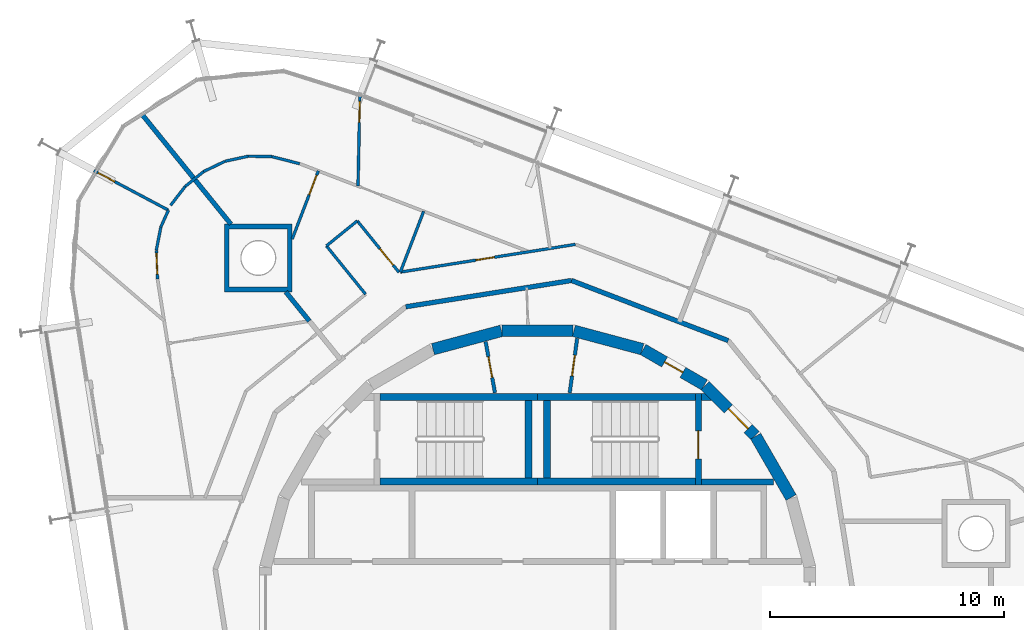
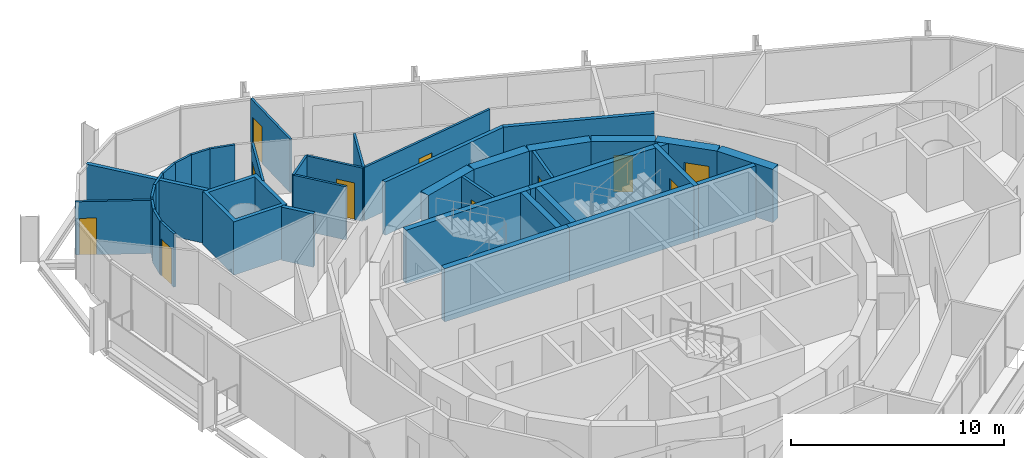
# One storey, part 15 of 17: 39 walls, 11 doors, 11 openings.
"""IFC4 building model written with IfcOpenShell, lengths in metres."""

import ifcopenshell
import ifcopenshell.guid

model = None  # the IFC model being written
_history = None  # IfcOwnerHistory: only IFC2X3 demands one
_inside = {}  # id of a spatial element -> (the spatial element, [elements in it])
_under = {}  # id of a project, library or spatial element -> (it, [spatial elements below it])
_declared = {}  # id of a project -> (the project, [libraries it declares])
_typed = {}  # id of a type object -> (the type object, [elements of that type])
_made_of = {}  # id of a material, layer set ... -> (it, [elements and type objects made of it])


def new_model(schema):
    """Start an empty IFC model of exactly this schema.

    Asked for "IFC4X3", IfcOpenShell would pick the latest addendum, in which some entities
    have other attributes; the version numbers below select the first issue.
    IFC2X3 requires an IfcOwnerHistory on every rooted entity: one is made here for all.
    """
    global model, _history
    if schema == "IFC4X3":
        model = ifcopenshell.file(schema_version=(4, 3, 0, 0))
    else:
        model = ifcopenshell.file(schema=schema)
    _inside.clear()
    _under.clear()
    _declared.clear()
    _typed.clear()
    _made_of.clear()
    _history = None
    if model.schema == "IFC2X3":
        org = make("IfcOrganization", Name="unknown")
        user = make(
            "IfcPersonAndOrganization",
            ThePerson=make("IfcPerson", FamilyName="unknown"),
            TheOrganization=org,
        )
        app = make(
            "IfcApplication",
            ApplicationDeveloper=org,
            Version="unknown",
            ApplicationFullName="unknown",
            ApplicationIdentifier="unknown",
        )
        _history = make(
            "IfcOwnerHistory",
            OwningUser=user,
            OwningApplication=app,
            ChangeAction="ADDED",
            CreationDate=0,
        )
    return model


def make(cls, **values):
    """One entity of the class cls with the attributes given. An attribute that is None is left unset."""
    return model.create_entity(
        cls, **{name: value for name, value in values.items() if value is not None}
    )


def rooted(cls, **values):
    """An entity with a GlobalId (a new one), such as an element, a storey or a relation."""
    return make(cls, GlobalId=ifcopenshell.guid.new(), OwnerHistory=_history, **values)


def si_unit(unit_type, name, prefix=None):
    """IfcSIUnit, for example si_unit("LENGTHUNIT", "METRE", prefix="MILLI")."""
    return make("IfcSIUnit", UnitType=unit_type, Prefix=prefix, Name=name)


def assignment(units):
    """IfcUnitAssignment: the units of a project."""
    return None if units is None else make("IfcUnitAssignment", Units=units)


def point(xyz):
    """IfcCartesianPoint."""
    return None if xyz is None else make("IfcCartesianPoint", Coordinates=xyz)


def direction(xyz):
    """IfcDirection."""
    return None if xyz is None else make("IfcDirection", DirectionRatios=xyz)


def frame(location, z_axis=None, x_axis=None):
    """IfcAxis2Placement3D, a coordinate frame: its origin and axes. An axis left out is left unset."""
    return make(
        "IfcAxis2Placement3D",
        Location=point(location),
        Axis=direction(z_axis),
        RefDirection=direction(x_axis),
    )


def frame_2d(location, x_axis=None):
    """IfcAxis2Placement2D, a coordinate frame in the plane: its origin and x axis."""
    return make(
        "IfcAxis2Placement2D", Location=point(location), RefDirection=direction(x_axis)
    )


def origin():
    """The frame at (0, 0, 0) with its axes left unset."""
    return frame((0.0, 0.0, 0.0))


def place(relative_to, where):
    """IfcLocalPlacement: puts the frame where relative to a parent placement (None: the world)."""
    return make(
        "IfcLocalPlacement", PlacementRelTo=relative_to, RelativePlacement=where
    )


def context(
    kind, dimensions, precision=None, world=None, true_north=None, identifier=None
):
    """IfcGeometricRepresentationContext, for example the 3D "Model" context."""
    return make(
        "IfcGeometricRepresentationContext",
        ContextIdentifier=identifier,
        ContextType=kind,
        CoordinateSpaceDimension=dimensions,
        Precision=precision,
        WorldCoordinateSystem=world,
        TrueNorth=true_north,
    )


def subcontext(parent, identifier, kind, view, scale=None):
    """IfcGeometricRepresentationSubContext, for example "Body" below "Model"."""
    return make(
        "IfcGeometricRepresentationSubContext",
        ContextIdentifier=identifier,
        ContextType=kind,
        ParentContext=parent,
        TargetScale=scale,
        TargetView=view,
    )


def project(units=None, contexts=None):
    """IfcProject with its units and contexts."""
    return rooted(
        "IfcProject",
        Name="project",
        RepresentationContexts=contexts,
        UnitsInContext=assignment(units),
    )


def spatial(cls, under=None, at=None, **own):
    """A site, building, storey or space (cls), placed at a placement, below another one or the project."""
    s = rooted(cls, ObjectPlacement=at, **own)
    if under is not None:
        _under.setdefault(under.id(), (under, []))[1].append(s)
    return s


def polyline(points):
    """IfcPolyline through the points."""
    return make("IfcPolyline", Points=[point(p) for p in points])


def profile(cls, at=None, kind="AREA", **sizes):
    """A parametric profile (cls). Its sizes go by their IFC names, for example OverallWidth=200.0."""
    return make(cls, ProfileType=kind, Position=at, **sizes)


def rectangle(**sizes):
    """IfcRectangleProfileDef."""
    return profile("IfcRectangleProfileDef", **sizes)


def outline(outer, holes=None, kind="AREA"):
    """IfcArbitraryClosedProfileDef: a profile drawn as a closed curve; with holes, ...WithVoids."""
    if holes is None:
        return make("IfcArbitraryClosedProfileDef", ProfileType=kind, OuterCurve=outer)
    return make(
        "IfcArbitraryProfileDefWithVoids",
        ProfileType=kind,
        OuterCurve=outer,
        InnerCurves=holes,
    )


def extrude(swept, where, along, depth):
    """IfcExtrudedAreaSolid: the profile swept, set in the frame where, extruded along a direction by depth."""
    return make(
        "IfcExtrudedAreaSolid",
        SweptArea=swept,
        Position=where,
        ExtrudedDirection=direction(along),
        Depth=depth,
    )


def shape(context_of_items, identifier, shape_type, items):
    """IfcShapeRepresentation: the items that make up one representation, for example the "Body"."""
    return make(
        "IfcShapeRepresentation",
        ContextOfItems=context_of_items,
        RepresentationIdentifier=identifier,
        RepresentationType=shape_type,
        Items=items,
    )


def material(Name=None, Category=None):
    """IfcMaterial."""
    return make("IfcMaterial", Name=Name, Category=Category)


def layer(
    of_material, thickness, ventilated=None, Name=None, Category=None, Priority=None
):
    """IfcMaterialLayer: one layer of a wall or slab, of a material (None: an air gap)."""
    return make(
        "IfcMaterialLayer",
        Material=of_material,
        LayerThickness=thickness,
        IsVentilated=ventilated,
        Name=Name,
        Category=Category,
        Priority=Priority,
    )


def layer_set(layers, Name=None):
    """IfcMaterialLayerSet."""
    return make("IfcMaterialLayerSet", MaterialLayers=layers, LayerSetName=Name)


def made_of(thing, what):
    """Note that an element or type object is made of a material, layer set ...; save() writes the relation."""
    if what is not None:
        _made_of.setdefault(what.id(), (what, []))[1].append(thing)
    return thing


def type_object(cls, material=None, **own):
    """A type object (cls), such as IfcWallType, which elements share."""
    return made_of(rooted(cls, **own), material)


def element(
    cls,
    number,
    at=None,
    inside=None,
    cuts=None,
    type_object=None,
    material=None,
    context=None,
    identifier="Body",
    shape_type=None,
    held_by="IfcProductDefinitionShape",
    body=None,
    shapes=None,
    **own,
):
    """One element of the class cls, such as IfcWall. Its Tag is "e" and its number.

    at: its placement. inside: the storey or other place that contains it. cuts: it is an
    opening in that element (IfcRelVoidsElement). A single representation is given by context,
    identifier, shape_type and body (its items); several are given by shapes. held_by: the class
    of the entity that holds the representations. save() writes the other relations.
    """
    e = rooted(cls, Tag="e%d" % number, ObjectPlacement=at, **own)
    if body is not None:
        shapes = [shape(context, identifier, shape_type, body)]
    if shapes is not None:
        e.Representation = make(held_by, Representations=shapes)
    if inside is not None:
        _inside.setdefault(inside.id(), (inside, []))[1].append(e)
    if cuts is not None:
        rooted(
            "IfcRelVoidsElement", RelatingBuildingElement=cuts, RelatedOpeningElement=e
        )
    if type_object is not None:
        _typed.setdefault(type_object.id(), (type_object, []))[1].append(e)
    return made_of(e, material)


def fill(opening, filler):
    """IfcRelFillsElement: the door or window that sits in an opening."""
    return rooted(
        "IfcRelFillsElement",
        RelatingOpeningElement=opening,
        RelatedBuildingElement=filler,
    )


def aggregate(whole, parts):
    """IfcRelAggregates: a whole, such as a stair, and the parts it consists of."""
    return rooted("IfcRelAggregates", RelatingObject=whole, RelatedObjects=parts)


def save(model, path):
    """Write the relations noted so far, then the file.

    IfcRelAggregates (storeys below a building ...), IfcRelContainedInSpatialStructure (elements
    in a storey), IfcRelDefinesByType, IfcRelAssociatesMaterial and IfcRelDeclares: one each for
    every whole, place, type object, material and project.
    """
    for whole, parts in _under.values():
        aggregate(whole, parts)
    for where, things in _inside.values():
        rooted(
            "IfcRelContainedInSpatialStructure",
            RelatedElements=things,
            RelatingStructure=where,
        )
    for kind, things in _typed.values():
        rooted("IfcRelDefinesByType", RelatedObjects=things, RelatingType=kind)
    for what, things in _made_of.values():
        rooted("IfcRelAssociatesMaterial", RelatedObjects=things, RelatingMaterial=what)
    for by, libraries in _declared.values():
        rooted("IfcRelDeclares", RelatingContext=by, RelatedDefinitions=libraries)
    model.write(path)


model = new_model("IFC4")

# Units and contexts
model_context = context("Model", 3, precision=1e-05, world=origin(), true_north=direction((0.0, 1.0)))
body_context = subcontext(model_context, "Body", "Model", "MODEL_VIEW")
ifc_project = project(units=[si_unit("LENGTHUNIT", "METRE"), si_unit("AREAUNIT", "SQUARE_METRE"), si_unit("VOLUMEUNIT", "CUBIC_METRE"), si_unit("PLANEANGLEUNIT", "RADIAN"), si_unit("MASSUNIT", "GRAM", prefix="KILO")], contexts=[model_context])

# Site, building, storey
site_placement = place(None, origin())
site = spatial("IfcSite", under=ifc_project, at=site_placement, CompositionType="ELEMENT")
building_placement = place(site_placement, origin())
building = spatial("IfcBuilding", under=site, at=building_placement, Name="Spindle Arch Residences", CompositionType="ELEMENT")
storey_placement = place(building_placement, frame((0.0, 0.0, 287.89990234375)))
storey = spatial("IfcBuildingStorey", under=building, at=storey_placement, Name="L74", CompositionType="ELEMENT", Elevation=287.89990234375)

# Wall
ifc_material_1 = material(Name="Concrete C50/60", Category="concrete")
ifc_layer_1 = layer(ifc_material_1, 0.5)
ifc_layer_set_1 = layer_set([ifc_layer_1], Name="Core outline wall 500")
wall_type_1 = type_object("IfcWallType", Name="Core outline wall 500", PredefinedType="SHEAR", material=ifc_layer_set_1)
wall_1_placement = place(storey_placement, frame((10.84521484375, 4.510498046875, 0.0), z_axis=(0.0, 0.0, 1.0), x_axis=(-0.500087131594, 0.865975092491, 0.0)))
element("IfcWall", 1, at=wall_1_placement, inside=storey, type_object=wall_type_1, Name="Core outline wall 8", PredefinedType="SHEAR", context=body_context, shape_type="SweptSolid", body=[
    extrude(rectangle(XDim=3.03271484375, YDim=0.5, at=frame_2d((1.516357421875, 0.0))), origin(), (0.0, 0.0, 1.0), 3.050048828125),
])

# Wall, opening, door
wall_2_placement = place(storey_placement, frame((9.30810546875, 7.163818359375, 0.0), z_axis=(0.0, 0.0, 1.0), x_axis=(-0.707106781187, 0.707106781187, 0.0)))
wall_2 = element("IfcWall", 2, at=wall_2_placement, inside=storey, type_object=wall_type_1, Name="Core outline wall 9", PredefinedType="SHEAR", context=body_context, shape_type="SweptSolid", body=[
    extrude(rectangle(XDim=3.032470703125, YDim=0.5, at=frame_2d((1.51611328125, 0.0))), origin(), (0.0, 0.0, 1.0), 3.050048828125),
])
opening_1_placement = place(wall_2_placement, frame((0.416259765625, 0.0, 0.0)))
opening_1 = element("IfcOpeningElement", 3, at=opening_1_placement, cuts=wall_2, Name="Opening R7C1-AD01", PredefinedType="OPENING", context=body_context, shape_type="SweptSolid", body=[
    extrude(rectangle(XDim=1.199951171875, YDim=2.10009765625, at=frame_2d((0.60009765625, 1.050048828125))), frame((0.0, 0.260009765625, 0.0), z_axis=(0.0, -1.0, 0.0), x_axis=(1.0, 0.0, 0.0)), (0.0, 0.0, 1.0), 0.52001953125),
])
ifc_material_2 = material(Name="Steel, fire-resisting door", Category="steel")
door_type_1 = type_object("IfcDoorType", Name="Stair airlock door 1200x2100", OperationType="SINGLE_SWING_LEFT", PredefinedType="DOOR", material=ifc_material_2)
door_1_placement = place(opening_1_placement, origin())
door_1 = element("IfcDoor", 4, at=door_1_placement, inside=storey, type_object=door_type_1, Name="Stair airlock door R7C1-AD01", OperationType="SINGLE_SWING_RIGHT", OverallHeight=2.10009765625, OverallWidth=1.199951171875, PredefinedType="DOOR", context=body_context, shape_type="SweptSolid", body=[
    extrude(rectangle(XDim=1.199951171875, YDim=2.10009765625, at=frame_2d((0.60009765625, 1.050048828125))), frame((0.0, 0.02490234375, 0.0), z_axis=(0.0, -1.0, 0.0), x_axis=(1.0, 0.0, 0.0)), (0.0, 0.0, 1.0), 0.050048828125),
])
fill(opening_1, door_1)

wall_3_placement = place(storey_placement, frame((7.13671875, 9.32861328125, 0.0), z_axis=(0.0, 0.0, 1.0), x_axis=(-0.865975092491, 0.500087131594, 0.0)))
wall_3 = element("IfcWall", 5, at=wall_3_placement, inside=storey, type_object=wall_type_1, Name="Core outline wall 10", PredefinedType="SHEAR", context=body_context, shape_type="SweptSolid", body=[
    extrude(rectangle(XDim=3.03271484375, YDim=0.5, at=frame_2d((1.516357421875, 0.0))), origin(), (0.0, 0.0, 1.0), 3.050048828125),
])
opening_2_placement = place(wall_3_placement, frame((1.06640625, 0.0, 0.0)))
opening_2 = element("IfcOpeningElement", 6, at=opening_2_placement, cuts=wall_3, Name="Opening R7C1-WD11", PredefinedType="OPENING", context=body_context, shape_type="SweptSolid", body=[
    extrude(rectangle(XDim=0.89990234375, YDim=2.10009765625, at=frame_2d((0.449951171875, 1.050048828125))), frame((0.0, 0.260009765625, 0.0), z_axis=(0.0, -1.0, 0.0), x_axis=(1.0, 0.0, 0.0)), (0.0, 0.0, 1.0), 0.52001953125),
])
ifc_material_3 = material(Name="Steel, fire-resisting door", Category="steel")
door_type_2 = type_object("IfcDoorType", Name="Service room door 900x2100", OperationType="SINGLE_SWING_LEFT", PredefinedType="DOOR", material=ifc_material_3)
door_2_placement = place(opening_2_placement, origin())
door_2 = element("IfcDoor", 7, at=door_2_placement, inside=storey, type_object=door_type_2, Name="Service room door R7C1-WD11", OperationType="SINGLE_SWING_LEFT", OverallHeight=2.10009765625, OverallWidth=0.89990234375, PredefinedType="DOOR", context=body_context, shape_type="SweptSolid", body=[
    extrude(rectangle(XDim=0.89990234375, YDim=2.10009765625, at=frame_2d((0.449951171875, 1.050048828125))), frame((0.0, 0.02490234375, 0.0), z_axis=(0.0, -1.0, 0.0), x_axis=(1.0, 0.0, 0.0)), (0.0, 0.0, 1.0), 0.050048828125),
])
fill(opening_2, door_2)

# Walls
for number, where, z_axis, x_axis, name in (
    (8, (4.479248046875, 10.858154296875, 0.0), (0.0, 0.0, 1.0), (-0.965948410781, 0.258734743916, 0.0), "Core outline wall 11"),
    (9, (1.516357421875, 11.647216796875, 0.0), (0.0, 0.0, 1.0), (-1.0, 0.0, 0.0), "Core outline wall 12"),
    (10, (-1.5498046875, 11.642822265625, 0.0), (0.0, 0.0, 1.0), (-0.965948410781, -0.258734743916, 0.0), "Core outline wall 13"),
):
    element("IfcWall", number, at=place(storey_placement, frame(where, z_axis=z_axis, x_axis=x_axis)), inside=storey, type_object=wall_type_1, Name=name, PredefinedType="SHEAR", context=body_context, shape_type="SweptSolid", body=[
        extrude(rectangle(XDim=3.03271484375, YDim=0.5, at=frame_2d((1.516357421875, 0.0))), origin(), (0.0, 0.0, 1.0), 3.050048828125),
    ])
ifc_material_4 = material(Name="Calcium silicate block, plastered")
ifc_layer_2 = layer(ifc_material_4, 0.199951171875)
ifc_layer_set_2 = layer_set([ifc_layer_2], Name="Corridor wall 200")
wall_type_2 = type_object("IfcWallType", Name="Corridor wall 200", PredefinedType="STANDARD", material=ifc_layer_set_2)
wall_4_placement = place(storey_placement, frame((8.154296875, 11.223388671875, 0.0), z_axis=(0.0, 0.0, 1.0), x_axis=(-0.93359073609, 0.358341090983, 0.0)))
element("IfcWall", 11, at=wall_4_placement, inside=storey, type_object=wall_type_2, Name="Corridor wall R7C1-W007", PredefinedType="STANDARD", context=body_context, shape_type="SweptSolid", body=[
    extrude(rectangle(XDim=7.180908203125, YDim=0.199951171875, at=frame_2d((3.59033203125, 0.0))), origin(), (0.0, 0.0, 1.0), 3.050048828125),
])
wall_5_placement = place(storey_placement, frame((1.4501953125, 13.796630859375, 0.0), z_axis=(0.0, 0.0, 1.0), x_axis=(-0.987690361611, -0.156421704315, 0.0)))
element("IfcWall", 12, at=wall_5_placement, inside=storey, type_object=wall_type_2, Name="Corridor wall R7C1-W008", PredefinedType="STANDARD", context=body_context, shape_type="SweptSolid", body=[
    extrude(rectangle(XDim=7.18115234375, YDim=0.199951171875, at=frame_2d((3.590576171875, 0.0))), origin(), (0.0, 0.0, 1.0), 3.050048828125),
])

# Wall, opening, door
ifc_material_5 = material(Name="Plasterboard on steel studs", Category="steel")
ifc_layer_3 = layer(ifc_material_5, 0.1201171875)
ifc_layer_set_3 = layer_set([ifc_layer_3], Name="Flat partition 120")
wall_type_3 = type_object("IfcWallType", Name="Flat partition 120", PredefinedType="PARTITIONING", material=ifc_layer_set_3)
wall_6_placement = place(storey_placement, frame((1.6123046875, 15.341064453125, 0.0), z_axis=(0.0, 0.0, 1.0), x_axis=(-0.987690790621, -0.156418995404, 0.0)))
wall_6 = element("IfcWall", 13, at=wall_6_placement, inside=storey, type_object=wall_type_3, Name="Flat partition R7C1-W043", PredefinedType="PARTITIONING", context=body_context, shape_type="SweptSolid", body=[
    extrude(rectangle(XDim=7.580810546875, YDim=0.1201171875, at=frame_2d((3.79052734375, 0.0))), origin(), (0.0, 0.0, 1.0), 3.050048828125),
])
opening_3_placement = place(wall_6_placement, frame((3.5068359375, 0.0, 0.0)))
opening_3 = element("IfcOpeningElement", 14, at=opening_3_placement, cuts=wall_6, Name="Opening R7C1-BD02", PredefinedType="OPENING", context=body_context, shape_type="SweptSolid", body=[
    extrude(rectangle(XDim=0.800048828125, YDim=2.10009765625, at=frame_2d((0.39990234375, 1.050048828125))), frame((0.0, 0.070068359375, 0.0), z_axis=(0.0, -1.0, 0.0), x_axis=(1.0, 0.0, 0.0)), (0.0, 0.0, 1.0), 0.14013671875),
])
ifc_material_6 = material(Name="Timber door set", Category="wood")
door_type_3 = type_object("IfcDoorType", Name="Bathroom door 800x2100", OperationType="NOTDEFINED", PredefinedType="DOOR", material=ifc_material_6)
door_3_placement = place(opening_3_placement, origin())
door_3 = element("IfcDoor", 15, at=door_3_placement, inside=storey, type_object=door_type_3, Name="Bathroom door R7C1-BD02", OperationType="SINGLE_SWING_RIGHT", OverallHeight=2.10009765625, OverallWidth=0.800048828125, PredefinedType="DOOR", context=body_context, shape_type="SweptSolid", body=[
    extrude(rectangle(XDim=0.800048828125, YDim=2.10009765625, at=frame_2d((0.39990234375, 1.050048828125))), frame((0.0, 0.02490234375, 0.0), z_axis=(0.0, -1.0, 0.0), x_axis=(1.0, 0.0, 0.0)), (0.0, 0.0, 1.0), 0.050048828125),
])
fill(opening_3, door_3)

wall_7_placement = place(storey_placement, frame((-5.933349609375, 14.14599609375, 0.0), z_axis=(0.0, 0.0, 1.0), x_axis=(-0.62930727886, 0.777156579316, 0.0)))
wall_7 = element("IfcWall", 16, at=wall_7_placement, inside=storey, type_object=wall_type_3, Name="Flat partition R7C1-W044", PredefinedType="PARTITIONING", context=body_context, shape_type="SweptSolid", body=[
    extrude(rectangle(XDim=2.83349609375, YDim=0.1201171875, at=frame_2d((1.416748046875, 0.0))), origin(), (0.0, 0.0, 1.0), 3.050048828125),
])
opening_4_placement = place(wall_7_placement, frame((0.39990234375, 0.0, 0.0)))
opening_4 = element("IfcOpeningElement", 17, at=opening_4_placement, cuts=wall_7, Name="Opening R7C1-ID05", PredefinedType="OPENING", context=body_context, shape_type="SweptSolid", body=[
    extrude(rectangle(XDim=0.89990234375, YDim=2.10009765625, at=frame_2d((0.449951171875, 1.050048828125))), frame((0.0, 0.070068359375, 0.0), z_axis=(0.0, -1.0, 0.0), x_axis=(1.0, 0.0, 0.0)), (0.0, 0.0, 1.0), 0.14013671875),
])
ifc_material_7 = material(Name="Timber door set", Category="wood")
door_type_4 = type_object("IfcDoorType", Name="Room door 900x2100", OperationType="NOTDEFINED", PredefinedType="DOOR", material=ifc_material_7)
door_4_placement = place(opening_4_placement, origin())
door_4 = element("IfcDoor", 18, at=door_4_placement, inside=storey, type_object=door_type_4, Name="Room door R7C1-ID05", OperationType="SINGLE_SWING_RIGHT", OverallHeight=2.10009765625, OverallWidth=0.89990234375, PredefinedType="DOOR", context=body_context, shape_type="SweptSolid", body=[
    extrude(rectangle(XDim=0.89990234375, YDim=2.10009765625, at=frame_2d((0.449951171875, 1.050048828125))), frame((0.0, 0.02490234375, 0.0), z_axis=(0.0, -1.0, 0.0), x_axis=(1.0, 0.0, 0.0)), (0.0, 0.0, 1.0), 0.050048828125),
])
fill(opening_4, door_4)

# Walls
wall_8_placement = place(storey_placement, frame((-7.716552734375, 16.34814453125, 0.0), z_axis=(0.0, 0.0, 1.0), x_axis=(-0.777184671515, -0.629272585103, 0.0)))
element("IfcWall", 19, at=wall_8_placement, inside=storey, type_object=wall_type_3, Name="Flat partition R7C1-W045", PredefinedType="PARTITIONING", context=body_context, shape_type="SweptSolid", body=[
    extrude(rectangle(XDim=1.7001953125, YDim=0.1201171875, at=frame_2d((0.85009765625, 0.0))), origin(), (0.0, 0.0, 1.0), 3.050048828125),
])
wall_9_placement = place(storey_placement, frame((-9.037841796875, 15.2783203125, 0.0), z_axis=(0.0, 0.0, 1.0), x_axis=(0.629338090938, -0.777131628037, 0.0)))
element("IfcWall", 20, at=wall_9_placement, inside=storey, type_object=wall_type_3, Name="Flat partition R7C1-W046", PredefinedType="PARTITIONING", context=body_context, shape_type="SweptSolid", body=[
    extrude(rectangle(XDim=2.6611328125, YDim=0.1201171875, at=frame_2d((1.33056640625, 0.0))), origin(), (0.0, 0.0, 1.0), 3.050048828125),
])

# Wall, opening, door
wall_10_placement = place(storey_placement, frame((-7.6064453125, 21.6611328125, 0.0), z_axis=(0.0, 0.0, 1.0), x_axis=(-0.020735808663, -0.999784990005, 0.0)))
wall_10 = element("IfcWall", 21, at=wall_10_placement, inside=storey, type_object=wall_type_3, Name="Flat partition R7C1-W050", PredefinedType="PARTITIONING", context=body_context, shape_type="SweptSolid", body=[
    extrude(rectangle(XDim=3.826416015625, YDim=0.1201171875, at=frame_2d((1.9130859375, 0.0))), origin(), (0.0, 0.0, 1.0), 3.050048828125),
])
opening_5_placement = place(wall_10_placement, frame((0.199951171875, 0.0, 0.0)))
opening_5 = element("IfcOpeningElement", 22, at=opening_5_placement, cuts=wall_10, Name="Opening R7C1-ID08", PredefinedType="OPENING", context=body_context, shape_type="SweptSolid", body=[
    extrude(rectangle(XDim=0.89990234375, YDim=2.10009765625, at=frame_2d((0.449951171875, 1.050048828125))), frame((0.0, 0.070068359375, 0.0), z_axis=(0.0, -1.0, 0.0), x_axis=(1.0, 0.0, 0.0)), (0.0, 0.0, 1.0), 0.14013671875),
])
door_5_placement = place(opening_5_placement, origin())
door_5 = element("IfcDoor", 23, at=door_5_placement, inside=storey, type_object=door_type_4, Name="Room door R7C1-ID08", OperationType="SINGLE_SWING_RIGHT", OverallHeight=2.10009765625, OverallWidth=0.89990234375, PredefinedType="DOOR", context=body_context, shape_type="SweptSolid", body=[
    extrude(rectangle(XDim=0.89990234375, YDim=2.10009765625, at=frame_2d((0.449951171875, 1.050048828125))), frame((0.0, 0.02490234375, 0.0), z_axis=(0.0, -1.0, 0.0), x_axis=(1.0, 0.0, 0.0)), (0.0, 0.0, 1.0), 0.050048828125),
])
fill(opening_5, door_5)

# Wall
wall_11_placement = place(storey_placement, frame((-4.87646484375, 16.757080078125, 0.0), z_axis=(0.0, 0.0, 1.0), x_axis=(-0.358380240487, -0.933575708354, 0.0)))
element("IfcWall", 24, at=wall_11_placement, inside=storey, type_object=wall_type_3, Name="Flat partition R7C1-W051", PredefinedType="PARTITIONING", context=body_context, shape_type="SweptSolid", body=[
    extrude(rectangle(XDim=2.786865234375, YDim=0.1201171875, at=frame_2d((1.3935546875, 0.0))), origin(), (0.0, 0.0, 1.0), 3.050048828125),
])

# Wall, opening, door
wall_12_placement = place(storey_placement, frame((-9.383056640625, 18.487060546875, 0.0), z_axis=(0.0, 0.0, 1.0), x_axis=(-0.358340198137, -0.933591078792, 0.0)))
wall_12 = element("IfcWall", 25, at=wall_12_placement, inside=storey, type_object=wall_type_3, Name="Flat partition R7C1-W052", PredefinedType="PARTITIONING", context=body_context, shape_type="SweptSolid", body=[
    extrude(rectangle(XDim=3.12451171875, YDim=0.1201171875, at=frame_2d((1.562255859375, 0.0))), origin(), (0.0, 0.0, 1.0), 3.050048828125),
])
opening_6_placement = place(wall_12_placement, frame((0.199951171875, 0.0, 0.0)))
opening_6 = element("IfcOpeningElement", 26, at=opening_6_placement, cuts=wall_12, Name="Opening R7C1-ID07", PredefinedType="OPENING", context=body_context, shape_type="SweptSolid", body=[
    extrude(rectangle(XDim=0.89990234375, YDim=2.10009765625, at=frame_2d((0.449951171875, 1.050048828125))), frame((0.0, 0.070068359375, 0.0), z_axis=(0.0, -1.0, 0.0), x_axis=(1.0, 0.0, 0.0)), (0.0, 0.0, 1.0), 0.14013671875),
])
door_6_placement = place(opening_6_placement, origin())
door_6 = element("IfcDoor", 27, at=door_6_placement, inside=storey, type_object=door_type_4, Name="Room door R7C1-ID07", OperationType="SINGLE_SWING_RIGHT", OverallHeight=2.10009765625, OverallWidth=0.89990234375, PredefinedType="DOOR", context=body_context, shape_type="SweptSolid", body=[
    extrude(rectangle(XDim=0.89990234375, YDim=2.10009765625, at=frame_2d((0.449951171875, 1.050048828125))), frame((0.0, 0.02490234375, 0.0), z_axis=(0.0, -1.0, 0.0), x_axis=(1.0, 0.0, 0.0)), (0.0, 0.0, 1.0), 0.050048828125),
])
fill(opening_6, door_6)

# Walls
for number, where, z_axis, x_axis, name in (
    (28, (-15.08251953125, 17.818115234375, 0.0), (0.0, 0.0, 1.0), (0.777127341008, 0.629343384694, 0.0), "Flat partition R7C1-W053"),
    (29, (-14.29296875, 18.45751953125, 0.0), (0.0, 0.0, 1.0), (0.901241595267, 0.433316959004, 0.0), "Flat partition R7C1-W054"),
):
    element("IfcWall", number, at=place(storey_placement, frame(where, z_axis=z_axis, x_axis=x_axis)), inside=storey, type_object=wall_type_3, Name=name, PredefinedType="PARTITIONING", context=body_context, shape_type="SweptSolid", body=[
        extrude(rectangle(XDim=1.015869140625, YDim=0.1201171875, at=frame_2d((0.5078125, 0.0))), origin(), (0.0, 0.0, 1.0), 3.050048828125),
    ])
wall_13_placement = place(storey_placement, frame((-13.37744140625, 18.897705078125, 0.0), z_axis=(0.0, 0.0, 1.0), x_axis=(0.976972067705, 0.213367239577, 0.0)))
element("IfcWall", 30, at=wall_13_placement, inside=storey, type_object=wall_type_3, Name="Flat partition R7C1-W055", PredefinedType="PARTITIONING", context=body_context, shape_type="SweptSolid", body=[
    extrude(rectangle(XDim=1.01611328125, YDim=0.1201171875, at=frame_2d((0.508056640625, 0.0))), origin(), (0.0, 0.0, 1.0), 3.050048828125),
])
wall_14_placement = place(storey_placement, frame((-12.384765625, 19.114501953125, 0.0), z_axis=(0.0, 0.0, 1.0), x_axis=(0.999850255535, -0.017305100577, 0.0)))
element("IfcWall", 31, at=wall_14_placement, inside=storey, type_object=wall_type_3, Name="Flat partition R7C1-W056", PredefinedType="PARTITIONING", context=body_context, shape_type="SweptSolid", body=[
    extrude(rectangle(XDim=1.015869140625, YDim=0.1201171875, at=frame_2d((0.5078125, 0.0))), origin(), (0.0, 0.0, 1.0), 3.050048828125),
])
wall_15_placement = place(storey_placement, frame((-11.369140625, 19.096923828125, 0.0), z_axis=(0.0, 0.0, 1.0), x_axis=(0.968877104853, -0.247542230117, 0.0)))
element("IfcWall", 32, at=wall_15_placement, inside=storey, type_object=wall_type_3, Name="Flat partition R7C1-W057", PredefinedType="PARTITIONING", context=body_context, shape_type="SweptSolid", body=[
    extrude(rectangle(XDim=1.226806640625, YDim=0.1201171875, at=frame_2d((0.61328125, 0.0))), origin(), (0.0, 0.0, 1.0), 3.050048828125),
])
wall_16_placement = place(storey_placement, frame((-15.703369140625, 17.013916015625, 0.0), z_axis=(0.0, 0.0, 1.0), x_axis=(0.611091802574, 0.791559731686, 0.0)))
element("IfcWall", 33, at=wall_16_placement, inside=storey, type_object=wall_type_3, Name="Flat partition R7C1-W059", PredefinedType="PARTITIONING", context=body_context, shape_type="SweptSolid", body=[
    extrude(rectangle(XDim=1.015869140625, YDim=0.1201171875, at=frame_2d((0.5078125, 0.0))), origin(), (0.0, 0.0, 1.0), 3.050048828125),
])

# Wall, opening, door
wall_17_placement = place(storey_placement, frame((-18.98291015625, 18.498779296875, 0.0), z_axis=(0.0, 0.0, 1.0), x_axis=(0.882938650306, -0.469488380896, 0.0)))
wall_17 = element("IfcWall", 34, at=wall_17_placement, inside=storey, type_object=wall_type_3, Name="Flat partition R7C1-W060", PredefinedType="PARTITIONING", context=body_context, shape_type="SweptSolid", body=[
    extrude(rectangle(XDim=3.607421875, YDim=0.1201171875, at=frame_2d((1.8037109375, 0.0))), origin(), (0.0, 0.0, 1.0), 3.050048828125),
])
opening_7_placement = place(wall_17_placement, frame((0.199951171875, 0.0, 0.0)))
opening_7 = element("IfcOpeningElement", 35, at=opening_7_placement, cuts=wall_17, Name="Opening R7C1-BD03", PredefinedType="OPENING", context=body_context, shape_type="SweptSolid", body=[
    extrude(rectangle(XDim=0.800048828125, YDim=2.10009765625, at=frame_2d((0.39990234375, 1.050048828125))), frame((0.0, 0.070068359375, 0.0), z_axis=(0.0, -1.0, 0.0), x_axis=(1.0, 0.0, 0.0)), (0.0, 0.0, 1.0), 0.14013671875),
])
door_7_placement = place(opening_7_placement, origin())
door_7 = element("IfcDoor", 36, at=door_7_placement, inside=storey, type_object=door_type_3, Name="Bathroom door R7C1-BD03", OperationType="SINGLE_SWING_LEFT", OverallHeight=2.10009765625, OverallWidth=0.800048828125, PredefinedType="DOOR", context=body_context, shape_type="SweptSolid", body=[
    extrude(rectangle(XDim=0.800048828125, YDim=2.10009765625, at=frame_2d((0.39990234375, 1.050048828125))), frame((0.0, 0.02490234375, 0.0), z_axis=(0.0, -1.0, 0.0), x_axis=(1.0, 0.0, 0.0)), (0.0, 0.0, 1.0), 0.050048828125),
])
fill(opening_7, door_7)

# Walls
wall_18_placement = place(storey_placement, frame((-15.7978515625, 16.80517578125, 0.0), z_axis=(0.0, 0.0, 1.0), x_axis=(-0.411861127809, -0.911246624904, 0.0)))
element("IfcWall", 37, at=wall_18_placement, inside=storey, type_object=wall_type_3, Name="Flat partition R7C1-W061", PredefinedType="PARTITIONING", context=body_context, shape_type="SweptSolid", body=[
    extrude(rectangle(XDim=0.78662109375, YDim=0.1201171875, at=frame_2d((0.393310546875, 0.0))), origin(), (0.0, 0.0, 1.0), 3.050048828125),
])
wall_19_placement = place(storey_placement, frame((-16.121826171875, 16.08837890625, 0.0), z_axis=(0.0, 0.0, 1.0), x_axis=(-0.191030445301, -0.981584112019, 0.0)))
element("IfcWall", 38, at=wall_19_placement, inside=storey, type_object=wall_type_3, Name="Flat partition R7C1-W062", PredefinedType="PARTITIONING", context=body_context, shape_type="SweptSolid", body=[
    extrude(rectangle(XDim=1.01611328125, YDim=0.1201171875, at=frame_2d((0.508056640625, 0.0))), origin(), (0.0, 0.0, 1.0), 3.050048828125),
])

# Wall, opening, door
wall_20_placement = place(storey_placement, frame((-16.31591796875, 15.091064453125, 0.0), z_axis=(0.0, 0.0, 1.0), x_axis=(0.040786423131, -0.999167887639, 0.0)))
wall_20 = element("IfcWall", 39, at=wall_20_placement, inside=storey, type_object=wall_type_3, Name="Flat partition R7C1-W063", PredefinedType="PARTITIONING", context=body_context, shape_type="SweptSolid", body=[
    extrude(rectangle(XDim=1.22705078125, YDim=0.1201171875, at=frame_2d((0.613525390625, 0.0))), origin(), (0.0, 0.0, 1.0), 3.050048828125),
])
opening_8_placement = place(wall_20_placement, frame((0.1201171875, 0.0, 0.0)))
opening_8 = element("IfcOpeningElement", 40, at=opening_8_placement, cuts=wall_20, Name="Opening R7C1-ID11", PredefinedType="OPENING", context=body_context, shape_type="SweptSolid", body=[
    extrude(rectangle(XDim=0.89990234375, YDim=2.10009765625, at=frame_2d((0.449951171875, 1.050048828125))), frame((0.0, 0.070068359375, 0.0), z_axis=(0.0, -1.0, 0.0), x_axis=(1.0, 0.0, 0.0)), (0.0, 0.0, 1.0), 0.14013671875),
])
door_8_placement = place(opening_8_placement, origin())
door_8 = element("IfcDoor", 41, at=door_8_placement, inside=storey, type_object=door_type_4, Name="Room door R7C1-ID11", OperationType="SINGLE_SWING_RIGHT", OverallHeight=2.10009765625, OverallWidth=0.89990234375, PredefinedType="DOOR", context=body_context, shape_type="SweptSolid", body=[
    extrude(rectangle(XDim=0.89990234375, YDim=2.10009765625, at=frame_2d((0.449951171875, 1.050048828125))), frame((0.0, 0.02490234375, 0.0), z_axis=(0.0, -1.0, 0.0), x_axis=(1.0, 0.0, 0.0)), (0.0, 0.0, 1.0), 0.050048828125),
])
fill(opening_8, door_8)

# Walls
ifc_material_8 = material(Name="Calcium silicate block, plastered")
ifc_layer_4 = layer(ifc_material_8, 0.199951171875)
ifc_layer_set_4 = layer_set([ifc_layer_4], Name="Flat party wall 200")
wall_type_4 = type_object("IfcWallType", Name="Flat party wall 200", PredefinedType="STANDARD", material=ifc_layer_set_4)
wall_21_placement = place(storey_placement, frame((-10.778564453125, 13.310546875, 0.0), z_axis=(0.0, 0.0, 1.0), x_axis=(0.629373100483, -0.77710327524, 0.0)))
element("IfcWall", 42, at=wall_21_placement, inside=storey, type_object=wall_type_4, Name="Flat party wall R7C1-W025", PredefinedType="STANDARD", context=body_context, shape_type="SweptSolid", body=[
    extrude(rectangle(XDim=1.6064453125, YDim=0.199951171875, at=frame_2d((0.80322265625, 0.0))), origin(), (0.0, 0.0, 1.0), 3.050048828125),
])
wall_22_placement = place(storey_placement, frame((-16.953369140625, 20.935546875, 0.0), z_axis=(0.0, 0.0, 1.0), x_axis=(0.629331057166, -0.777137324085, 0.0)))
element("IfcWall", 43, at=wall_22_placement, inside=storey, type_object=wall_type_4, Name="Flat party wall R7C1-W026", PredefinedType="STANDARD", context=body_context, shape_type="SweptSolid", body=[
    extrude(rectangle(XDim=6.080078125, YDim=0.199951171875, at=frame_2d((3.0400390625, 0.0))), origin(), (0.0, 0.0, 1.0), 3.050048828125),
])
ifc_material_9 = material(Name="Calcium silicate block, plastered")
ifc_layer_5 = layer(ifc_material_9, 0.199951171875)
ifc_layer_set_5 = layer_set([ifc_layer_5], Name="Mega-column casing wall 200")
wall_type_5 = type_object("IfcWallType", Name="Mega-column casing wall 200", PredefinedType="STANDARD", material=ifc_layer_set_5)
wall_23_placement = place(storey_placement, origin())
element("IfcWall", 44, at=wall_23_placement, inside=storey, type_object=wall_type_5, Name="Mega-column casing wall R7C1-WC02", PredefinedType="STANDARD", context=body_context, shape_type="SweptSolid", body=[
    extrude(outline(polyline([(-10.502685546875, 16.21044921875), (-10.502685546875, 13.310546875), (-13.40283203125, 13.310546875), (-13.40283203125, 16.21044921875), (-10.502685546875, 16.21044921875)]), holes=[polyline([(-13.202880859375, 13.510498046875), (-10.702880859375, 13.510498046875), (-10.702880859375, 16.010498046875), (-13.202880859375, 16.010498046875), (-13.202880859375, 13.510498046875)])]), origin(), (0.0, 0.0, 1.0), 3.050048828125),
])

# Wall, opening, door
ifc_material_10 = material(Name="Concrete C25/30", Category="concrete")
ifc_layer_6 = layer(ifc_material_10, 0.14990234375)
ifc_layer_set_6 = layer_set([ifc_layer_6], Name="Service room partition 150")
wall_type_6 = type_object("IfcWallType", Name="Service room partition 150", PredefinedType="PARTITIONING", material=ifc_layer_set_6)
wall_24_placement = place(storey_placement, frame((1.69091796875, 11.32568359375, 0.0), z_axis=(0.0, 0.0, 1.0), x_axis=(-0.135344253201, -0.990798633994, 0.0)))
wall_24 = element("IfcWall", 45, at=wall_24_placement, inside=storey, type_object=wall_type_6, Name="Core service room partition", PredefinedType="PARTITIONING", context=body_context, shape_type="SweptSolid", body=[
    extrude(rectangle(XDim=2.357666015625, YDim=0.14990234375, at=frame_2d((1.1787109375, 0.0))), origin(), (0.0, 0.0, 1.0), 3.050048828125),
])
opening_9_placement = place(wall_24_placement, frame((0.728759765625, 0.0, 0.0)))
opening_9 = element("IfcOpeningElement", 46, at=opening_9_placement, cuts=wall_24, Name="Opening R7C1-WD07", PredefinedType="OPENING", context=body_context, shape_type="SweptSolid", body=[
    extrude(rectangle(XDim=0.89990234375, YDim=2.10009765625, at=frame_2d((0.449951171875, 1.050048828125))), frame((0.0, 0.0849609375, 0.0), z_axis=(0.0, -1.0, 0.0), x_axis=(1.0, 0.0, 0.0)), (0.0, 0.0, 1.0), 0.169921875),
])
door_9_placement = place(opening_9_placement, origin())
door_9 = element("IfcDoor", 47, at=door_9_placement, inside=storey, type_object=door_type_2, Name="Service room door R7C1-WD07", OperationType="SINGLE_SWING_LEFT", OverallHeight=2.10009765625, OverallWidth=0.89990234375, PredefinedType="DOOR", context=body_context, shape_type="SweptSolid", body=[
    extrude(rectangle(XDim=0.89990234375, YDim=2.10009765625, at=frame_2d((0.449951171875, 1.050048828125))), frame((0.0, 0.02490234375, 0.0), z_axis=(0.0, -1.0, 0.0), x_axis=(1.0, 0.0, 0.0)), (0.0, 0.0, 1.0), 0.050048828125),
])
fill(opening_9, door_9)

wall_25_placement = place(storey_placement, frame((-1.824951171875, 8.98974609375, 0.0), z_axis=(0.0, 0.0, 1.0), x_axis=(-0.179955206115, 0.983674805915, 0.0)))
wall_25 = element("IfcWall", 48, at=wall_25_placement, inside=storey, type_object=wall_type_6, Name="Core service room partition", PredefinedType="PARTITIONING", context=body_context, shape_type="SweptSolid", body=[
    extrude(rectangle(XDim=2.22900390625, YDim=0.14990234375, at=frame_2d((1.114501953125, 0.0))), origin(), (0.0, 0.0, 1.0), 3.050048828125),
])
opening_10_placement = place(wall_25_placement, frame((0.66455078125, 0.0, 0.0)))
opening_10 = element("IfcOpeningElement", 49, at=opening_10_placement, cuts=wall_25, Name="Opening R7C1-WD08", PredefinedType="OPENING", context=body_context, shape_type="SweptSolid", body=[
    extrude(rectangle(XDim=0.89990234375, YDim=2.10009765625, at=frame_2d((0.449951171875, 1.050048828125))), frame((0.0, 0.0849609375, 0.0), z_axis=(0.0, -1.0, 0.0), x_axis=(1.0, 0.0, 0.0)), (0.0, 0.0, 1.0), 0.169921875),
])
door_10_placement = place(opening_10_placement, origin())
door_10 = element("IfcDoor", 50, at=door_10_placement, inside=storey, type_object=door_type_2, Name="Service room door R7C1-WD08", OperationType="SINGLE_SWING_RIGHT", OverallHeight=2.10009765625, OverallWidth=0.89990234375, PredefinedType="DOOR", context=body_context, shape_type="SweptSolid", body=[
    extrude(rectangle(XDim=0.89990234375, YDim=2.10009765625, at=frame_2d((0.449951171875, 1.050048828125))), frame((0.0, 0.02490234375, 0.0), z_axis=(0.0, -1.0, 0.0), x_axis=(1.0, 0.0, 0.0)), (0.0, 0.0, 1.0), 0.050048828125),
])
fill(opening_10, door_10)

# Walls
ifc_material_11 = material(Name="Concrete C40/50", Category="concrete")
ifc_layer_7 = layer(ifc_material_11, 0.25)
ifc_layer_set_7 = layer_set([ifc_layer_7], Name="Stair airlock wall 250")
wall_type_7 = type_object("IfcWallType", Name="Stair airlock wall 250", PredefinedType="SHEAR", material=ifc_layer_set_7)
wall_26_placement = place(storey_placement, frame((7.0, 5.175048828125, 0.0), z_axis=(0.0, 0.0, 1.0), x_axis=(1.0, 0.0, 0.0)))
element("IfcWall", 51, at=wall_26_placement, inside=storey, type_object=wall_type_7, Name="Stair ST-1 airlock wall S", PredefinedType="SHEAR", context=body_context, shape_type="SweptSolid", body=[
    extrude(rectangle(XDim=3.10009765625, YDim=0.25, at=frame_2d((1.550048828125, 0.0))), origin(), (0.0, 0.0, 1.0), 3.050048828125),
])
ifc_material_12 = material(Name="Concrete C40/50", Category="concrete")
wall_type_8 = type_object("IfcWallType", Name="Stair airlock wall profile", PredefinedType="SHEAR", material=ifc_material_12)
wall_27_placement = place(storey_placement, origin())
element("IfcWall", 52, at=wall_27_placement, inside=storey, type_object=wall_type_8, Name="Stair ST-1 airlock wall N", PredefinedType="SHEAR", context=body_context, shape_type="SweptSolid", body=[
    extrude(outline(polyline([(7.4482421875, 8.669921875), (7.0, 8.669921875), (7.0, 8.969970703125), (7.148193359375, 8.969970703125), (7.4482421875, 8.669921875)])), origin(), (0.0, 0.0, 1.0), 3.050048828125),
])

# Wall, opening, door
ifc_material_13 = material(Name="Concrete C50/60", Category="concrete")
ifc_layer_8 = layer(ifc_material_13, 0.25)
ifc_layer_set_8 = layer_set([ifc_layer_8], Name="Stair enclosure wall 250")
wall_type_9 = type_object("IfcWallType", Name="Stair enclosure wall 250", PredefinedType="SHEAR", material=ifc_layer_set_8)
wall_28_placement = place(storey_placement, frame((6.875, 5.050048828125, 0.0), z_axis=(0.0, 0.0, 1.0), x_axis=(0.0, 1.0, 0.0)))
wall_28 = element("IfcWall", 53, at=wall_28_placement, inside=storey, type_object=wall_type_9, Name="Stair ST-1 door wall", PredefinedType="SHEAR", context=body_context, shape_type="SweptSolid", body=[
    extrude(rectangle(XDim=3.919921875, YDim=0.25, at=frame_2d((1.9599609375, 0.0))), origin(), (0.0, 0.0, 1.0), 3.050048828125),
])
opening_11_placement = place(wall_28_placement, frame((1.110107421875, 0.0, 0.0)))
opening_11 = element("IfcOpeningElement", 54, at=opening_11_placement, cuts=wall_28, Name="Opening R7C1-SD01", PredefinedType="OPENING", context=body_context, shape_type="SweptSolid", body=[
    extrude(rectangle(XDim=1.199951171875, YDim=2.10009765625, at=frame_2d((0.60009765625, 1.050048828125))), frame((0.0, 0.135009765625, 0.0), z_axis=(0.0, -1.0, 0.0), x_axis=(1.0, 0.0, 0.0)), (0.0, 0.0, 1.0), 0.27001953125),
])
ifc_material_14 = material(Name="Steel, fire-resisting door", Category="steel")
door_type_5 = type_object("IfcDoorType", Name="Stair door 1200x2100", OperationType="SINGLE_SWING_RIGHT", PredefinedType="DOOR", material=ifc_material_14)
door_11_placement = place(opening_11_placement, origin())
door_11 = element("IfcDoor", 55, at=door_11_placement, inside=storey, type_object=door_type_5, Name="Stair door R7C1-SD01", OperationType="SINGLE_SWING_LEFT", OverallHeight=2.10009765625, OverallWidth=1.199951171875, PredefinedType="DOOR", context=body_context, shape_type="SweptSolid", body=[
    extrude(rectangle(XDim=1.199951171875, YDim=2.10009765625, at=frame_2d((0.60009765625, 1.050048828125))), frame((0.0, 0.02490234375, 0.0), z_axis=(0.0, -1.0, 0.0), x_axis=(1.0, 0.0, 0.0)), (0.0, 0.0, 1.0), 0.050048828125),
])
fill(opening_11, door_11)

# Walls
ifc_material_15 = material(Name="Concrete C50/60", Category="concrete")
ifc_layer_9 = layer(ifc_material_15, 0.300048828125)
ifc_layer_set_9 = layer_set([ifc_layer_9], Name="Stair enclosure wall 300")
wall_type_10 = type_object("IfcWallType", Name="Stair enclosure wall 300", PredefinedType="SHEAR", material=ifc_layer_set_9)
for number, where, z_axis, x_axis, name in (
    (56, (0.0, 5.199951171875, 0.0), (0.0, 0.0, 1.0), (1.0, 0.0, 0.0), "Stair ST-1 enclosure wall S"),
    (57, (0.0, 8.820068359375, 0.0), (0.0, 0.0, 1.0), (1.0, 0.0, 0.0), "Stair ST-1 enclosure wall N"),
):
    element("IfcWall", number, at=place(storey_placement, frame(where, z_axis=z_axis, x_axis=x_axis)), inside=storey, type_object=wall_type_10, Name=name, PredefinedType="SHEAR", context=body_context, shape_type="SweptSolid", body=[
        extrude(rectangle(XDim=6.75, YDim=0.300048828125, at=frame_2d((3.375, 0.0))), origin(), (0.0, 0.0, 1.0), 3.050048828125),
    ])
wall_29_placement = place(storey_placement, frame((0.39990234375, 5.35009765625, 0.0), z_axis=(0.0, 0.0, 1.0), x_axis=(0.0, 1.0, 0.0)))
element("IfcWall", 58, at=wall_29_placement, inside=storey, type_object=wall_type_10, Name="Stair ST-1 enclosure wall F", PredefinedType="SHEAR", context=body_context, shape_type="SweptSolid", body=[
    extrude(rectangle(XDim=3.31982421875, YDim=0.300048828125, at=frame_2d((1.659912109375, 0.0))), origin(), (0.0, 0.0, 1.0), 3.050048828125),
])
for number, where, z_axis, x_axis, name in (
    (59, (-6.75, 5.199951171875, 0.0), (0.0, 0.0, 1.0), (1.0, 0.0, 0.0), "Stair ST-2 enclosure wall S"),
    (60, (-6.75, 8.820068359375, 0.0), (0.0, 0.0, 1.0), (1.0, 0.0, 0.0), "Stair ST-2 enclosure wall N"),
):
    element("IfcWall", number, at=place(storey_placement, frame(where, z_axis=z_axis, x_axis=x_axis)), inside=storey, type_object=wall_type_10, Name=name, PredefinedType="SHEAR", context=body_context, shape_type="SweptSolid", body=[
        extrude(rectangle(XDim=6.75, YDim=0.300048828125, at=frame_2d((3.375, 0.0))), origin(), (0.0, 0.0, 1.0), 3.050048828125),
    ])
wall_30_placement = place(storey_placement, frame((-0.39990234375, 5.35009765625, 0.0), z_axis=(0.0, 0.0, 1.0), x_axis=(0.0, 1.0, 0.0)))
element("IfcWall", 61, at=wall_30_placement, inside=storey, type_object=wall_type_10, Name="Stair ST-2 enclosure wall F", PredefinedType="SHEAR", context=body_context, shape_type="SweptSolid", body=[
    extrude(rectangle(XDim=3.31982421875, YDim=0.300048828125, at=frame_2d((1.659912109375, 0.0))), origin(), (0.0, 0.0, 1.0), 3.050048828125),
])

save(model, "model.ifc")
